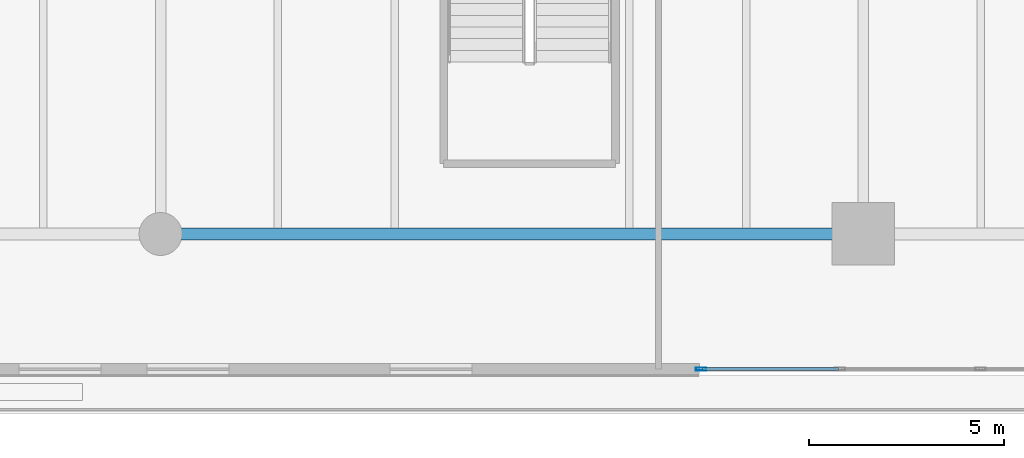
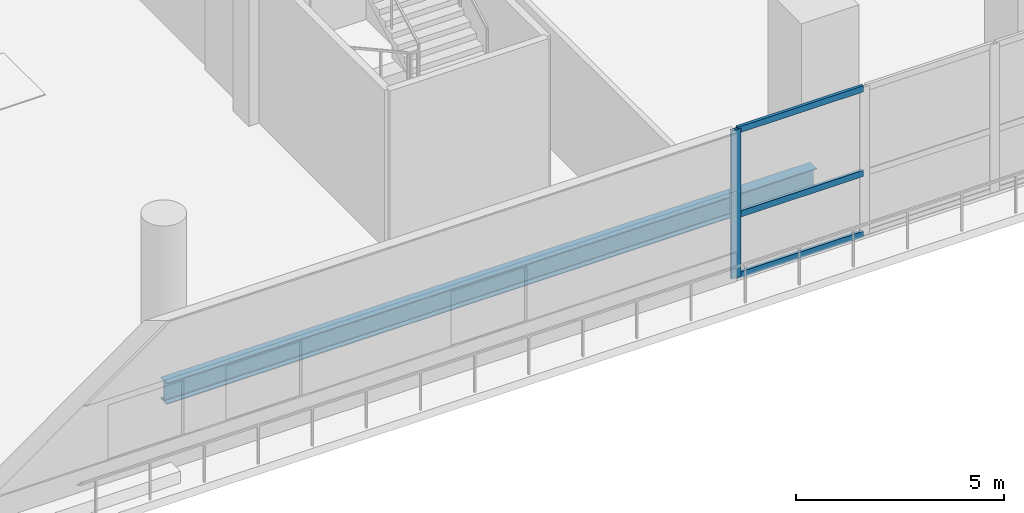
# One storey, part 2 of 27: 4 members, 1 beam, 1 element without a shape of its own.
"""IFC4 building model written with IfcOpenShell, lengths in metres."""

import ifcopenshell
import ifcopenshell.guid

model = None  # the IFC model being written
_history = None  # IfcOwnerHistory: only IFC2X3 demands one
_inside = {}  # id of a spatial element -> (the spatial element, [elements in it])
_under = {}  # id of a project, library or spatial element -> (it, [spatial elements below it])
_declared = {}  # id of a project -> (the project, [libraries it declares])
_typed = {}  # id of a type object -> (the type object, [elements of that type])
_made_of = {}  # id of a material, layer set ... -> (it, [elements and type objects made of it])


def new_model(schema):
    """Start an empty IFC model of exactly this schema.

    Asked for "IFC4X3", IfcOpenShell would pick the latest addendum, in which some entities
    have other attributes; the version numbers below select the first issue.
    IFC2X3 requires an IfcOwnerHistory on every rooted entity: one is made here for all.
    """
    global model, _history
    if schema == "IFC4X3":
        model = ifcopenshell.file(schema_version=(4, 3, 0, 0))
    else:
        model = ifcopenshell.file(schema=schema)
    _inside.clear()
    _under.clear()
    _declared.clear()
    _typed.clear()
    _made_of.clear()
    _history = None
    if model.schema == "IFC2X3":
        org = make("IfcOrganization", Name="unknown")
        user = make(
            "IfcPersonAndOrganization",
            ThePerson=make("IfcPerson", FamilyName="unknown"),
            TheOrganization=org,
        )
        app = make(
            "IfcApplication",
            ApplicationDeveloper=org,
            Version="unknown",
            ApplicationFullName="unknown",
            ApplicationIdentifier="unknown",
        )
        _history = make(
            "IfcOwnerHistory",
            OwningUser=user,
            OwningApplication=app,
            ChangeAction="ADDED",
            CreationDate=0,
        )
    return model


def make(cls, **values):
    """One entity of the class cls with the attributes given. An attribute that is None is left unset."""
    return model.create_entity(
        cls, **{name: value for name, value in values.items() if value is not None}
    )


def rooted(cls, **values):
    """An entity with a GlobalId (a new one), such as an element, a storey or a relation."""
    return make(cls, GlobalId=ifcopenshell.guid.new(), OwnerHistory=_history, **values)


def si_unit(unit_type, name, prefix=None):
    """IfcSIUnit, for example si_unit("LENGTHUNIT", "METRE", prefix="MILLI")."""
    return make("IfcSIUnit", UnitType=unit_type, Prefix=prefix, Name=name)


def assignment(units):
    """IfcUnitAssignment: the units of a project."""
    return None if units is None else make("IfcUnitAssignment", Units=units)


def point(xyz):
    """IfcCartesianPoint."""
    return None if xyz is None else make("IfcCartesianPoint", Coordinates=xyz)


def direction(xyz):
    """IfcDirection."""
    return None if xyz is None else make("IfcDirection", DirectionRatios=xyz)


def frame(location, z_axis=None, x_axis=None):
    """IfcAxis2Placement3D, a coordinate frame: its origin and axes. An axis left out is left unset."""
    return make(
        "IfcAxis2Placement3D",
        Location=point(location),
        Axis=direction(z_axis),
        RefDirection=direction(x_axis),
    )


def frame_2d(location, x_axis=None):
    """IfcAxis2Placement2D, a coordinate frame in the plane: its origin and x axis."""
    return make(
        "IfcAxis2Placement2D", Location=point(location), RefDirection=direction(x_axis)
    )


def origin():
    """The frame at (0, 0, 0) with its axes left unset."""
    return frame((0.0, 0.0, 0.0))


def origin_2d():
    """The frame at (0, 0) in the plane with its x axis left unset."""
    return frame_2d((0.0, 0.0))


def place(relative_to, where):
    """IfcLocalPlacement: puts the frame where relative to a parent placement (None: the world)."""
    return make(
        "IfcLocalPlacement", PlacementRelTo=relative_to, RelativePlacement=where
    )


def context(
    kind, dimensions, precision=None, world=None, true_north=None, identifier=None
):
    """IfcGeometricRepresentationContext, for example the 3D "Model" context."""
    return make(
        "IfcGeometricRepresentationContext",
        ContextIdentifier=identifier,
        ContextType=kind,
        CoordinateSpaceDimension=dimensions,
        Precision=precision,
        WorldCoordinateSystem=world,
        TrueNorth=true_north,
    )


def subcontext(parent, identifier, kind, view, scale=None):
    """IfcGeometricRepresentationSubContext, for example "Body" below "Model"."""
    return make(
        "IfcGeometricRepresentationSubContext",
        ContextIdentifier=identifier,
        ContextType=kind,
        ParentContext=parent,
        TargetScale=scale,
        TargetView=view,
    )


def project(units=None, contexts=None):
    """IfcProject with its units and contexts."""
    return rooted(
        "IfcProject",
        Name="project",
        RepresentationContexts=contexts,
        UnitsInContext=assignment(units),
    )


def spatial(cls, under=None, at=None, **own):
    """A site, building, storey or space (cls), placed at a placement, below another one or the project."""
    s = rooted(cls, ObjectPlacement=at, **own)
    if under is not None:
        _under.setdefault(under.id(), (under, []))[1].append(s)
    return s


def profile(cls, at=None, kind="AREA", **sizes):
    """A parametric profile (cls). Its sizes go by their IFC names, for example OverallWidth=200.0."""
    return make(cls, ProfileType=kind, Position=at, **sizes)


def hollow_rectangle(**sizes):
    """IfcRectangleHollowProfileDef."""
    return profile("IfcRectangleHollowProfileDef", **sizes)


def i_section(**sizes):
    """IfcIShapeProfileDef."""
    return profile("IfcIShapeProfileDef", **sizes)


def extrude(swept, where, along, depth):
    """IfcExtrudedAreaSolid: the profile swept, set in the frame where, extruded along a direction by depth."""
    return make(
        "IfcExtrudedAreaSolid",
        SweptArea=swept,
        Position=where,
        ExtrudedDirection=direction(along),
        Depth=depth,
    )


def shape(context_of_items, identifier, shape_type, items):
    """IfcShapeRepresentation: the items that make up one representation, for example the "Body"."""
    return make(
        "IfcShapeRepresentation",
        ContextOfItems=context_of_items,
        RepresentationIdentifier=identifier,
        RepresentationType=shape_type,
        Items=items,
    )


def material(Name=None, Category=None):
    """IfcMaterial."""
    return make("IfcMaterial", Name=Name, Category=Category)


def layer(
    of_material, thickness, ventilated=None, Name=None, Category=None, Priority=None
):
    """IfcMaterialLayer: one layer of a wall or slab, of a material (None: an air gap)."""
    return make(
        "IfcMaterialLayer",
        Material=of_material,
        LayerThickness=thickness,
        IsVentilated=ventilated,
        Name=Name,
        Category=Category,
        Priority=Priority,
    )


def layer_set(layers, Name=None):
    """IfcMaterialLayerSet."""
    return make("IfcMaterialLayerSet", MaterialLayers=layers, LayerSetName=Name)


def material_profile(
    of_material, cross_section, Name=None, Category=None, Priority=None
):
    """IfcMaterialProfile: a cross section and its material."""
    return make(
        "IfcMaterialProfile",
        Name=Name,
        Material=of_material,
        Profile=cross_section,
        Priority=Priority,
        Category=Category,
    )


def profile_set(profiles, Name=None, composite=None):
    """IfcMaterialProfileSet."""
    return make(
        "IfcMaterialProfileSet",
        Name=Name,
        MaterialProfiles=profiles,
        CompositeProfile=composite,
    )


def made_of(thing, what):
    """Note that an element or type object is made of a material, layer set ...; save() writes the relation."""
    if what is not None:
        _made_of.setdefault(what.id(), (what, []))[1].append(thing)
    return thing


def type_object(cls, material=None, **own):
    """A type object (cls), such as IfcWallType, which elements share."""
    return made_of(rooted(cls, **own), material)


def element(
    cls,
    number,
    at=None,
    inside=None,
    cuts=None,
    type_object=None,
    material=None,
    context=None,
    identifier="Body",
    shape_type=None,
    held_by="IfcProductDefinitionShape",
    body=None,
    shapes=None,
    **own,
):
    """One element of the class cls, such as IfcWall. Its Tag is "e" and its number.

    at: its placement. inside: the storey or other place that contains it. cuts: it is an
    opening in that element (IfcRelVoidsElement). A single representation is given by context,
    identifier, shape_type and body (its items); several are given by shapes. held_by: the class
    of the entity that holds the representations. save() writes the other relations.
    """
    e = rooted(cls, Tag="e%d" % number, ObjectPlacement=at, **own)
    if body is not None:
        shapes = [shape(context, identifier, shape_type, body)]
    if shapes is not None:
        e.Representation = make(held_by, Representations=shapes)
    if inside is not None:
        _inside.setdefault(inside.id(), (inside, []))[1].append(e)
    if cuts is not None:
        rooted(
            "IfcRelVoidsElement", RelatingBuildingElement=cuts, RelatedOpeningElement=e
        )
    if type_object is not None:
        _typed.setdefault(type_object.id(), (type_object, []))[1].append(e)
    return made_of(e, material)


def aggregate(whole, parts):
    """IfcRelAggregates: a whole, such as a stair, and the parts it consists of."""
    return rooted("IfcRelAggregates", RelatingObject=whole, RelatedObjects=parts)


def save(model, path):
    """Write the relations noted so far, then the file.

    IfcRelAggregates (storeys below a building ...), IfcRelContainedInSpatialStructure (elements
    in a storey), IfcRelDefinesByType, IfcRelAssociatesMaterial and IfcRelDeclares: one each for
    every whole, place, type object, material and project.
    """
    for whole, parts in _under.values():
        aggregate(whole, parts)
    for where, things in _inside.values():
        rooted(
            "IfcRelContainedInSpatialStructure",
            RelatedElements=things,
            RelatingStructure=where,
        )
    for kind, things in _typed.values():
        rooted("IfcRelDefinesByType", RelatedObjects=things, RelatingType=kind)
    for what, things in _made_of.values():
        rooted("IfcRelAssociatesMaterial", RelatedObjects=things, RelatingMaterial=what)
    for by, libraries in _declared.values():
        rooted("IfcRelDeclares", RelatingContext=by, RelatedDefinitions=libraries)
    model.write(path)


model = new_model("IFC4")

# Units and contexts
model_context = context("Model", 3, precision=1e-05, world=origin(), true_north=direction((0.0, 1.0)))
body_context = subcontext(model_context, "Body", "Model", "MODEL_VIEW")
ifc_project = project(units=[si_unit("LENGTHUNIT", "METRE"), si_unit("AREAUNIT", "SQUARE_METRE"), si_unit("VOLUMEUNIT", "CUBIC_METRE"), si_unit("PLANEANGLEUNIT", "RADIAN"), si_unit("MASSUNIT", "GRAM", prefix="KILO")], contexts=[model_context])

# Site, building, storey
site_placement = place(None, origin())
site = spatial("IfcSite", under=ifc_project, at=site_placement, CompositionType="ELEMENT")
building_placement = place(site_placement, origin())
building = spatial("IfcBuilding", under=site, at=building_placement, Name="Tanjung Sevakor Pilgrim Tower", CompositionType="ELEMENT")
storey_placement = place(building_placement, frame((0.0, 0.0, 14.85009765625)))
storey = spatial("IfcBuildingStorey", under=building, at=storey_placement, Name="L04", CompositionType="ELEMENT", Elevation=14.85009765625)

# Beam
ifc_material_1 = material(Name="Steel S355J2", Category="steel")
ifc_material_profile_1 = material_profile(ifc_material_1, i_section(OverallWidth=0.30712890625, OverallDepth=0.6201171875, WebThickness=0.01416015625, FlangeThickness=0.023681640625, FilletRadius=0.0166015625, at=origin_2d()))
ifc_profile_set_1 = profile_set([ifc_material_profile_1], Name="Steel S355J2")
beam_type = type_object("IfcBeamType", Name="BM-B-POD5-UB_610x305x179", PredefinedType="BEAM", material=ifc_profile_set_1)
beam_placement = place(storey_placement, frame((36.0, 6.60009765625, -0.590087890625), z_axis=(1.0, 0.0, 0.0), x_axis=(0.0, 1.0, 0.0)))
element("IfcBeam", 1, at=beam_placement, inside=storey, type_object=beam_type, Name="L04 Podium Girder EW Y6.6-3", PredefinedType="BEAM", context=body_context, shape_type="SweptSolid", body=[
    extrude(i_section(OverallWidth=0.30712890625, OverallDepth=0.6201171875, WebThickness=0.01416015625, FlangeThickness=0.023681640625, FilletRadius=0.0166015625, at=origin_2d()), origin(), (0.0, 0.0, 1.0), 18.0),
])

# Curtain wall, members
ifc_material_2 = material(Name="Aluminium 6063-T6 and Low-E Glass", Category="aluminium")
ifc_layer = layer(ifc_material_2, 0.179931640625)
ifc_layer_set = layer_set([ifc_layer], Name="CW-SYS-POD")
curtain_wall_type = type_object("IfcCurtainWallType", Name="CW-SYS-POD", PredefinedType="NOTDEFINED", material=ifc_layer_set)
curtain_wall_placement = place(storey_placement, origin())
curtain_wall = element("IfcCurtainWall", 2, at=curtain_wall_placement, inside=storey, type_object=curtain_wall_type, Name="L04 Curtain Wall CW-POD-L04-S", PredefinedType="NOTDEFINED")
ifc_material_3 = material(Name="Aluminium 6063-T6", Category="aluminium")
ifc_material_profile_2 = material_profile(ifc_material_3, hollow_rectangle(XDim=0.080078125, YDim=0.260009765625, WallThickness=0.0048828125, at=origin_2d()))
ifc_profile_set_2 = profile_set([ifc_material_profile_2], Name="Aluminium 6063-T6")
member_type_1 = type_object("IfcMemberType", Name="TYPE-CWM-3", PredefinedType="MULLION", material=ifc_profile_set_2)
member_1_placement = place(storey_placement, frame((49.840087890625, 3.139892578125, 0.0), z_axis=(0.0, 0.0, 1.0), x_axis=(0.0, 1.0, 0.0)))
member_1 = element("IfcMember", 3, at=member_1_placement, type_object=member_type_1, Name="CW-POD mullion 1", PredefinedType="MULLION", context=body_context, shape_type="SweptSolid", body=[
    extrude(hollow_rectangle(XDim=0.080078125, YDim=0.260009765625, WallThickness=0.0048828125, at=origin_2d()), origin(), (0.0, 0.0, 1.0), 4.33984375),
])
ifc_material_4 = material(Name="Aluminium 6063-T6", Category="aluminium")
ifc_material_profile_3 = material_profile(ifc_material_4, hollow_rectangle(XDim=0.080078125, YDim=0.179931640625, WallThickness=0.0048828125, at=origin_2d()))
ifc_profile_set_3 = profile_set([ifc_material_profile_3], Name="Aluminium 6063-T6")
member_type_2 = type_object("IfcMemberType", Name="TYPE-CWT-3", PredefinedType="USERDEFINED", material=ifc_profile_set_3)
member_2_placement = place(storey_placement, frame((49.8798828125, 3.139892578125, 0.039794921875), z_axis=(1.0, 0.0, 0.0), x_axis=(0.0, 1.0, 0.0)))
member_2 = element("IfcMember", 4, at=member_2_placement, type_object=member_type_2, Name="CW-POD transom 1.1", ObjectType="TRANSOM", PredefinedType="USERDEFINED", context=body_context, shape_type="SweptSolid", body=[
    extrude(hollow_rectangle(XDim=0.080078125, YDim=0.179931640625, WallThickness=0.0048828125, at=origin_2d()), origin(), (0.0, 0.0, 1.0), 3.480224609375),
])
member_3_placement = place(storey_placement, frame((49.8798828125, 3.139892578125, 1.82275390625), z_axis=(1.0, 0.0, 0.0), x_axis=(0.0, 1.0, 0.0)))
member_3 = element("IfcMember", 5, at=member_3_placement, type_object=member_type_2, Name="CW-POD transom 1.2", ObjectType="TRANSOM", PredefinedType="USERDEFINED", context=body_context, shape_type="SweptSolid", body=[
    extrude(hollow_rectangle(XDim=0.080078125, YDim=0.179931640625, WallThickness=0.0048828125, at=origin_2d()), origin(), (0.0, 0.0, 1.0), 3.480224609375),
])
member_4_placement = place(storey_placement, frame((49.8798828125, 3.139892578125, 4.2998046875), z_axis=(1.0, 0.0, 0.0), x_axis=(0.0, 1.0, 0.0)))
member_4 = element("IfcMember", 6, at=member_4_placement, type_object=member_type_2, Name="CW-POD transom 1.3", ObjectType="TRANSOM", PredefinedType="USERDEFINED", context=body_context, shape_type="SweptSolid", body=[
    extrude(hollow_rectangle(XDim=0.080078125, YDim=0.179931640625, WallThickness=0.0048828125, at=origin_2d()), origin(), (0.0, 0.0, 1.0), 3.480224609375),
])
aggregate(curtain_wall, [member_1, member_2, member_3, member_4])

save(model, "model.ifc")
